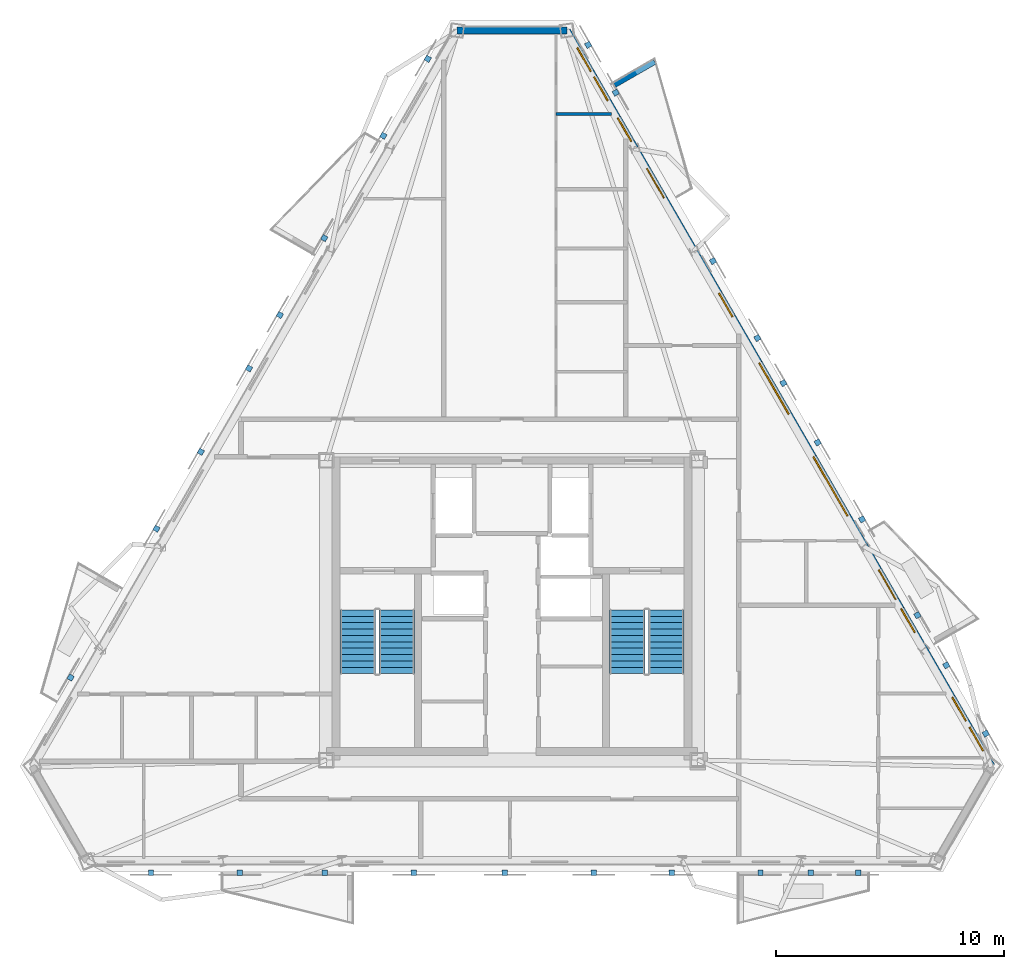
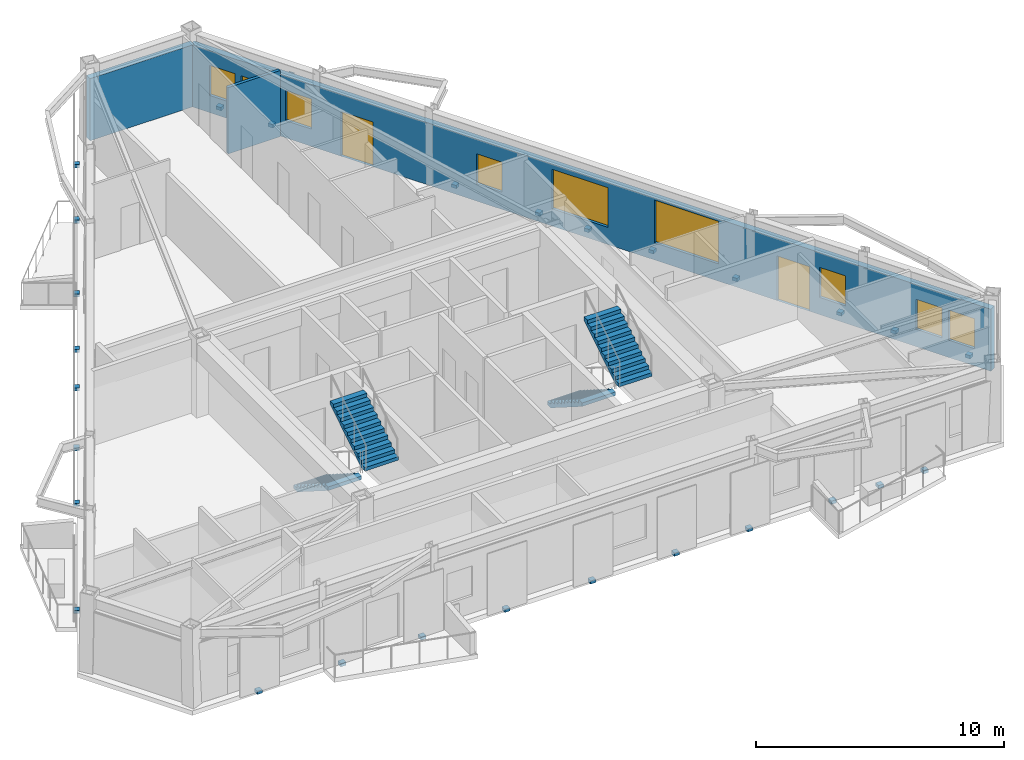
# One storey, part 6 of 9: 28 discrete accessories, 9 windows, 4 stair flights, 4 walls, 2 doors, 11 openings, 2 elements without a shape of their own.
"""IFC4 building model written with IfcOpenShell, lengths in metres."""

import ifcopenshell
import ifcopenshell.guid

model = None  # the IFC model being written
_history = None  # IfcOwnerHistory: only IFC2X3 demands one
_inside = {}  # id of a spatial element -> (the spatial element, [elements in it])
_under = {}  # id of a project, library or spatial element -> (it, [spatial elements below it])
_declared = {}  # id of a project -> (the project, [libraries it declares])
_typed = {}  # id of a type object -> (the type object, [elements of that type])
_made_of = {}  # id of a material, layer set ... -> (it, [elements and type objects made of it])


def new_model(schema):
    """Start an empty IFC model of exactly this schema.

    Asked for "IFC4X3", IfcOpenShell would pick the latest addendum, in which some entities
    have other attributes; the version numbers below select the first issue.
    IFC2X3 requires an IfcOwnerHistory on every rooted entity: one is made here for all.
    """
    global model, _history
    if schema == "IFC4X3":
        model = ifcopenshell.file(schema_version=(4, 3, 0, 0))
    else:
        model = ifcopenshell.file(schema=schema)
    _inside.clear()
    _under.clear()
    _declared.clear()
    _typed.clear()
    _made_of.clear()
    _history = None
    if model.schema == "IFC2X3":
        org = make("IfcOrganization", Name="unknown")
        user = make(
            "IfcPersonAndOrganization",
            ThePerson=make("IfcPerson", FamilyName="unknown"),
            TheOrganization=org,
        )
        app = make(
            "IfcApplication",
            ApplicationDeveloper=org,
            Version="unknown",
            ApplicationFullName="unknown",
            ApplicationIdentifier="unknown",
        )
        _history = make(
            "IfcOwnerHistory",
            OwningUser=user,
            OwningApplication=app,
            ChangeAction="ADDED",
            CreationDate=0,
        )
    return model


def make(cls, **values):
    """One entity of the class cls with the attributes given. An attribute that is None is left unset."""
    return model.create_entity(
        cls, **{name: value for name, value in values.items() if value is not None}
    )


def rooted(cls, **values):
    """An entity with a GlobalId (a new one), such as an element, a storey or a relation."""
    return make(cls, GlobalId=ifcopenshell.guid.new(), OwnerHistory=_history, **values)


def si_unit(unit_type, name, prefix=None):
    """IfcSIUnit, for example si_unit("LENGTHUNIT", "METRE", prefix="MILLI")."""
    return make("IfcSIUnit", UnitType=unit_type, Prefix=prefix, Name=name)


def assignment(units):
    """IfcUnitAssignment: the units of a project."""
    return None if units is None else make("IfcUnitAssignment", Units=units)


def point(xyz):
    """IfcCartesianPoint."""
    return None if xyz is None else make("IfcCartesianPoint", Coordinates=xyz)


def direction(xyz):
    """IfcDirection."""
    return None if xyz is None else make("IfcDirection", DirectionRatios=xyz)


def frame(location, z_axis=None, x_axis=None):
    """IfcAxis2Placement3D, a coordinate frame: its origin and axes. An axis left out is left unset."""
    return make(
        "IfcAxis2Placement3D",
        Location=point(location),
        Axis=direction(z_axis),
        RefDirection=direction(x_axis),
    )


def frame_2d(location, x_axis=None):
    """IfcAxis2Placement2D, a coordinate frame in the plane: its origin and x axis."""
    return make(
        "IfcAxis2Placement2D", Location=point(location), RefDirection=direction(x_axis)
    )


def origin():
    """The frame at (0, 0, 0) with its axes left unset."""
    return frame((0.0, 0.0, 0.0))


def origin_2d():
    """The frame at (0, 0) in the plane with its x axis left unset."""
    return frame_2d((0.0, 0.0))


def place(relative_to, where):
    """IfcLocalPlacement: puts the frame where relative to a parent placement (None: the world)."""
    return make(
        "IfcLocalPlacement", PlacementRelTo=relative_to, RelativePlacement=where
    )


def context(
    kind, dimensions, precision=None, world=None, true_north=None, identifier=None
):
    """IfcGeometricRepresentationContext, for example the 3D "Model" context."""
    return make(
        "IfcGeometricRepresentationContext",
        ContextIdentifier=identifier,
        ContextType=kind,
        CoordinateSpaceDimension=dimensions,
        Precision=precision,
        WorldCoordinateSystem=world,
        TrueNorth=true_north,
    )


def subcontext(parent, identifier, kind, view, scale=None):
    """IfcGeometricRepresentationSubContext, for example "Body" below "Model"."""
    return make(
        "IfcGeometricRepresentationSubContext",
        ContextIdentifier=identifier,
        ContextType=kind,
        ParentContext=parent,
        TargetScale=scale,
        TargetView=view,
    )


def project(units=None, contexts=None):
    """IfcProject with its units and contexts."""
    return rooted(
        "IfcProject",
        Name="project",
        RepresentationContexts=contexts,
        UnitsInContext=assignment(units),
    )


def spatial(cls, under=None, at=None, **own):
    """A site, building, storey or space (cls), placed at a placement, below another one or the project."""
    s = rooted(cls, ObjectPlacement=at, **own)
    if under is not None:
        _under.setdefault(under.id(), (under, []))[1].append(s)
    return s


def polyline(points):
    """IfcPolyline through the points."""
    return make("IfcPolyline", Points=[point(p) for p in points])


def profile(cls, at=None, kind="AREA", **sizes):
    """A parametric profile (cls). Its sizes go by their IFC names, for example OverallWidth=200.0."""
    return make(cls, ProfileType=kind, Position=at, **sizes)


def rectangle(**sizes):
    """IfcRectangleProfileDef."""
    return profile("IfcRectangleProfileDef", **sizes)


def outline(outer, holes=None, kind="AREA"):
    """IfcArbitraryClosedProfileDef: a profile drawn as a closed curve; with holes, ...WithVoids."""
    if holes is None:
        return make("IfcArbitraryClosedProfileDef", ProfileType=kind, OuterCurve=outer)
    return make(
        "IfcArbitraryProfileDefWithVoids",
        ProfileType=kind,
        OuterCurve=outer,
        InnerCurves=holes,
    )


def extrude(swept, where, along, depth):
    """IfcExtrudedAreaSolid: the profile swept, set in the frame where, extruded along a direction by depth."""
    return make(
        "IfcExtrudedAreaSolid",
        SweptArea=swept,
        Position=where,
        ExtrudedDirection=direction(along),
        Depth=depth,
    )


def shape(context_of_items, identifier, shape_type, items):
    """IfcShapeRepresentation: the items that make up one representation, for example the "Body"."""
    return make(
        "IfcShapeRepresentation",
        ContextOfItems=context_of_items,
        RepresentationIdentifier=identifier,
        RepresentationType=shape_type,
        Items=items,
    )


def material(Name=None, Category=None):
    """IfcMaterial."""
    return make("IfcMaterial", Name=Name, Category=Category)


def layer(
    of_material, thickness, ventilated=None, Name=None, Category=None, Priority=None
):
    """IfcMaterialLayer: one layer of a wall or slab, of a material (None: an air gap)."""
    return make(
        "IfcMaterialLayer",
        Material=of_material,
        LayerThickness=thickness,
        IsVentilated=ventilated,
        Name=Name,
        Category=Category,
        Priority=Priority,
    )


def layer_set(layers, Name=None):
    """IfcMaterialLayerSet."""
    return make("IfcMaterialLayerSet", MaterialLayers=layers, LayerSetName=Name)


def made_of(thing, what):
    """Note that an element or type object is made of a material, layer set ...; save() writes the relation."""
    if what is not None:
        _made_of.setdefault(what.id(), (what, []))[1].append(thing)
    return thing


def type_object(cls, material=None, **own):
    """A type object (cls), such as IfcWallType, which elements share."""
    return made_of(rooted(cls, **own), material)


def element(
    cls,
    number,
    at=None,
    inside=None,
    cuts=None,
    type_object=None,
    material=None,
    context=None,
    identifier="Body",
    shape_type=None,
    held_by="IfcProductDefinitionShape",
    body=None,
    shapes=None,
    **own,
):
    """One element of the class cls, such as IfcWall. Its Tag is "e" and its number.

    at: its placement. inside: the storey or other place that contains it. cuts: it is an
    opening in that element (IfcRelVoidsElement). A single representation is given by context,
    identifier, shape_type and body (its items); several are given by shapes. held_by: the class
    of the entity that holds the representations. save() writes the other relations.
    """
    e = rooted(cls, Tag="e%d" % number, ObjectPlacement=at, **own)
    if body is not None:
        shapes = [shape(context, identifier, shape_type, body)]
    if shapes is not None:
        e.Representation = make(held_by, Representations=shapes)
    if inside is not None:
        _inside.setdefault(inside.id(), (inside, []))[1].append(e)
    if cuts is not None:
        rooted(
            "IfcRelVoidsElement", RelatingBuildingElement=cuts, RelatedOpeningElement=e
        )
    if type_object is not None:
        _typed.setdefault(type_object.id(), (type_object, []))[1].append(e)
    return made_of(e, material)


def fill(opening, filler):
    """IfcRelFillsElement: the door or window that sits in an opening."""
    return rooted(
        "IfcRelFillsElement",
        RelatingOpeningElement=opening,
        RelatedBuildingElement=filler,
    )


def aggregate(whole, parts):
    """IfcRelAggregates: a whole, such as a stair, and the parts it consists of."""
    return rooted("IfcRelAggregates", RelatingObject=whole, RelatedObjects=parts)


def save(model, path):
    """Write the relations noted so far, then the file.

    IfcRelAggregates (storeys below a building ...), IfcRelContainedInSpatialStructure (elements
    in a storey), IfcRelDefinesByType, IfcRelAssociatesMaterial and IfcRelDeclares: one each for
    every whole, place, type object, material and project.
    """
    for whole, parts in _under.values():
        aggregate(whole, parts)
    for where, things in _inside.values():
        rooted(
            "IfcRelContainedInSpatialStructure",
            RelatedElements=things,
            RelatingStructure=where,
        )
    for kind, things in _typed.values():
        rooted("IfcRelDefinesByType", RelatedObjects=things, RelatingType=kind)
    for what, things in _made_of.values():
        rooted("IfcRelAssociatesMaterial", RelatedObjects=things, RelatingMaterial=what)
    for by, libraries in _declared.values():
        rooted("IfcRelDeclares", RelatingContext=by, RelatedDefinitions=libraries)
    model.write(path)


model = new_model("IFC4")

# Units and contexts
model_context = context("Model", 3, precision=1e-05, world=origin(), true_north=direction((0.0, 1.0)))
body_context = subcontext(model_context, "Body", "Model", "MODEL_VIEW")
ifc_project = project(units=[si_unit("LENGTHUNIT", "METRE"), si_unit("AREAUNIT", "SQUARE_METRE"), si_unit("VOLUMEUNIT", "CUBIC_METRE"), si_unit("PLANEANGLEUNIT", "RADIAN"), si_unit("MASSUNIT", "GRAM", prefix="KILO")], contexts=[model_context])

# Site, building, storey
site_placement = place(None, origin())
site = spatial("IfcSite", under=ifc_project, at=site_placement, CompositionType="ELEMENT")
building_placement = place(site_placement, origin())
building = spatial("IfcBuilding", under=site, at=building_placement, Name="Oramaril Tower", CompositionType="ELEMENT")
storey_placement = place(building_placement, frame((0.0, 0.0, 269.39990234375)))
storey = spatial("IfcBuildingStorey", under=building, at=storey_placement, Name="L71", CompositionType="ELEMENT", Elevation=269.39990234375)

# Wall, openings, doors, windows
ifc_material_1 = material(Name="Warm Cream Limestone", Category="masonry")
ifc_layer_1 = layer(ifc_material_1, 0.2900390625)
ifc_layer_set_1 = layer_set([ifc_layer_1], Name="WT-EXT29")
wall_type_1 = type_object("IfcWallType", Name="WT-EXT29", PredefinedType="SOLIDWALL", material=ifc_layer_set_1)
wall_1_placement = place(storey_placement, frame((58.57177734375, 10.733154296875, 0.0), z_axis=(0.0, 0.0, 1.0), x_axis=(-0.500001430823, 0.866024577697, 0.0)))
wall_1 = element("IfcWall", 1, at=wall_1_placement, inside=storey, type_object=wall_type_1, Name="L71 Tower Limestone Facade Wall 4M", PredefinedType="SOLIDWALL", context=body_context, shape_type="SweptSolid", body=[
    extrude(rectangle(XDim=37.2958984375, YDim=0.2900390625, at=frame_2d((18.64794921875, 0.0))), origin(), (0.0, 0.0, 1.0), 3.05810546875),
])
opening_1_placement = place(wall_1_placement, frame((8.454345703125, 0.0, 0.0)))
opening_1 = element("IfcOpeningElement", 2, at=opening_1_placement, cuts=wall_1, Name="Opening D-L71-BAL-NE1", PredefinedType="OPENING", context=body_context, shape_type="SweptSolid", body=[
    extrude(rectangle(XDim=1.5, YDim=2.199951171875, at=frame_2d((0.75, 1.10009765625))), frame((0.0, 0.14501953125, 0.0), z_axis=(0.0, -1.0, 0.0), x_axis=(1.0, 0.0, 0.0)), (0.0, 0.0, 1.0), 0.2900390625),
])
opening_2_placement = place(wall_1_placement, frame((28.79638671875, 0.0, 0.0)))
opening_2 = element("IfcOpeningElement", 3, at=opening_2_placement, cuts=wall_1, Name="Opening D-L71-BAL-NE2", PredefinedType="OPENING", context=body_context, shape_type="SweptSolid", body=[
    extrude(rectangle(XDim=1.5, YDim=2.199951171875, at=frame_2d((0.75, 1.10009765625))), frame((0.0, 0.14501953125, 0.0), z_axis=(0.0, -1.0, 0.0), x_axis=(1.0, 0.0, 0.0)), (0.0, 0.0, 1.0), 0.2900390625),
])
opening_3_placement = place(wall_1_placement, frame((0.769775390625, 0.0, 0.85009765625)))
opening_3 = element("IfcOpeningElement", 4, at=opening_3_placement, cuts=wall_1, Name="Opening WN-09", PredefinedType="OPENING", context=body_context, shape_type="SweptSolid", body=[
    extrude(rectangle(XDim=1.199951171875, YDim=1.47998046875, at=frame_2d((0.60009765625, 0.739990234375))), frame((0.0, 0.14501953125, 0.0), z_axis=(0.0, -1.0, 0.0), x_axis=(1.0, 0.0, 0.0)), (0.0, 0.0, 1.0), 0.2900390625),
])
opening_4_placement = place(wall_1_placement, frame((2.28515625, 0.0, 0.85009765625)))
opening_4 = element("IfcOpeningElement", 5, at=opening_4_placement, cuts=wall_1, Name="Opening WN-09", PredefinedType="OPENING", context=body_context, shape_type="SweptSolid", body=[
    extrude(rectangle(XDim=1.199951171875, YDim=1.47998046875, at=frame_2d((0.60009765625, 0.739990234375))), frame((0.0, 0.14501953125, 0.0), z_axis=(0.0, -1.0, 0.0), x_axis=(1.0, 0.0, 0.0)), (0.0, 0.0, 1.0), 0.2900390625),
])
opening_5_placement = place(wall_1_placement, frame((6.7724609375, 0.0, 0.85009765625)))
opening_5 = element("IfcOpeningElement", 6, at=opening_5_placement, cuts=wall_1, Name="Opening WN-09", PredefinedType="OPENING", context=body_context, shape_type="SweptSolid", body=[
    extrude(rectangle(XDim=1.199951171875, YDim=1.47998046875, at=frame_2d((0.60009765625, 0.739990234375))), frame((0.0, 0.14501953125, 0.0), z_axis=(0.0, -1.0, 0.0), x_axis=(1.0, 0.0, 0.0)), (0.0, 0.0, 1.0), 0.2900390625),
])
opening_6_placement = place(wall_1_placement, frame((12.681640625, 0.0, 0.85009765625)))
opening_6 = element("IfcOpeningElement", 7, at=opening_6_placement, cuts=wall_1, Name="Opening WN-10", PredefinedType="OPENING", context=body_context, shape_type="SweptSolid", body=[
    extrude(rectangle(XDim=3.0, YDim=2.097900390625, at=frame_2d((1.5, 1.048828125))), frame((0.0, 0.14501953125, 0.0), z_axis=(0.0, -1.0, 0.0), x_axis=(1.0, 0.0, 0.0)), (0.0, 0.0, 1.0), 0.2900390625),
])
opening_7_placement = place(wall_1_placement, frame((17.841552734375, 0.0, 0.85009765625)))
opening_7 = element("IfcOpeningElement", 8, at=opening_7_placement, cuts=wall_1, Name="Opening WN-02", PredefinedType="OPENING", context=body_context, shape_type="SweptSolid", body=[
    extrude(rectangle(XDim=2.60009765625, YDim=1.949951171875, at=frame_2d((1.300048828125, 0.97509765625))), frame((0.0, 0.14501953125, 0.0), z_axis=(0.0, -1.0, 0.0), x_axis=(1.0, 0.0, 0.0)), (0.0, 0.0, 1.0), 0.2900390625),
])
opening_8_placement = place(wall_1_placement, frame((35.216796875, 0.0, 0.85009765625)))
opening_8 = element("IfcOpeningElement", 9, at=opening_8_placement, cuts=wall_1, Name="Opening WN-09", PredefinedType="OPENING", context=body_context, shape_type="SweptSolid", body=[
    extrude(rectangle(XDim=1.199951171875, YDim=1.47998046875, at=frame_2d((0.60009765625, 0.739990234375))), frame((0.0, 0.14501953125, 0.0), z_axis=(0.0, -1.0, 0.0), x_axis=(1.0, 0.0, 0.0)), (0.0, 0.0, 1.0), 0.2900390625),
])
opening_9_placement = place(wall_1_placement, frame((33.73681640625, 0.0, 0.85009765625)))
opening_9 = element("IfcOpeningElement", 10, at=opening_9_placement, cuts=wall_1, Name="Opening WN-09", PredefinedType="OPENING", context=body_context, shape_type="SweptSolid", body=[
    extrude(rectangle(XDim=1.199951171875, YDim=1.47998046875, at=frame_2d((0.60009765625, 0.739990234375))), frame((0.0, 0.14501953125, 0.0), z_axis=(0.0, -1.0, 0.0), x_axis=(1.0, 0.0, 0.0)), (0.0, 0.0, 1.0), 0.2900390625),
])
opening_10_placement = place(wall_1_placement, frame((22.77490234375, 0.0, 0.85009765625)))
opening_10 = element("IfcOpeningElement", 11, at=opening_10_placement, cuts=wall_1, Name="Opening WN-09", PredefinedType="OPENING", context=body_context, shape_type="SweptSolid", body=[
    extrude(rectangle(XDim=1.199951171875, YDim=1.47998046875, at=frame_2d((0.60009765625, 0.739990234375))), frame((0.0, 0.14501953125, 0.0), z_axis=(0.0, -1.0, 0.0), x_axis=(1.0, 0.0, 0.0)), (0.0, 0.0, 1.0), 0.2900390625),
])
opening_11_placement = place(wall_1_placement, frame((31.6630859375, 0.0, 0.85009765625)))
opening_11 = element("IfcOpeningElement", 12, at=opening_11_placement, cuts=wall_1, Name="Opening WN-09", PredefinedType="OPENING", context=body_context, shape_type="SweptSolid", body=[
    extrude(rectangle(XDim=1.199951171875, YDim=1.47998046875, at=frame_2d((0.60009765625, 0.739990234375))), frame((0.0, 0.14501953125, 0.0), z_axis=(0.0, -1.0, 0.0), x_axis=(1.0, 0.0, 0.0)), (0.0, 0.0, 1.0), 0.2900390625),
])
ifc_material_2 = material(Name="Anodised Aluminium 6063-T6", Category="aluminium")
door_type = type_object("IfcDoorType", Name="DT-BAL", OperationType="NOTDEFINED", PredefinedType="DOOR", material=ifc_material_2)
door_1_placement = place(opening_1_placement, origin())
door_1 = element("IfcDoor", 13, at=door_1_placement, inside=storey, type_object=door_type, Name="L71 Balcony Glazed Door L71-BAL-NE1", OperationType="SINGLE_SWING_RIGHT", OverallHeight=2.199951171875, OverallWidth=1.5, PredefinedType="DOOR", context=body_context, shape_type="SweptSolid", body=[
    extrude(rectangle(XDim=1.5, YDim=2.199951171875, at=frame_2d((0.75, 1.10009765625))), frame((0.0, 0.02490234375, 0.0), z_axis=(0.0, -1.0, 0.0), x_axis=(1.0, 0.0, 0.0)), (0.0, 0.0, 1.0), 0.050048828125),
])
fill(opening_1, door_1)
door_2_placement = place(opening_2_placement, origin())
door_2 = element("IfcDoor", 14, at=door_2_placement, inside=storey, type_object=door_type, Name="L71 Balcony Glazed Door L71-BAL-NE2", OperationType="SINGLE_SWING_LEFT", OverallHeight=2.199951171875, OverallWidth=1.5, PredefinedType="DOOR", context=body_context, shape_type="SweptSolid", body=[
    extrude(rectangle(XDim=1.5, YDim=2.199951171875, at=frame_2d((0.75, 1.10009765625))), frame((0.0, 0.02490234375, 0.0), z_axis=(0.0, -1.0, 0.0), x_axis=(1.0, 0.0, 0.0)), (0.0, 0.0, 1.0), 0.050048828125),
])
fill(opening_2, door_2)
ifc_material_3 = material(Name="Coastal Low-E Insulated Glass", Category="glass")
window_type_1 = type_object("IfcWindowType", Name="WNT-02", PartitioningType="SINGLE_PANEL", PredefinedType="WINDOW", material=ifc_material_3)
window_1_placement = place(opening_7_placement, origin())
window_1 = element("IfcWindow", 15, at=window_1_placement, inside=storey, type_object=window_type_1, Name="L71 Chicago Bay Window WN-02", OverallHeight=1.949951171875, OverallWidth=2.60009765625, PartitioningType="SINGLE_PANEL", PredefinedType="WINDOW", context=body_context, shape_type="SweptSolid", body=[
    extrude(rectangle(XDim=2.60009765625, YDim=1.949951171875, at=frame_2d((1.300048828125, 0.97509765625))), frame((0.0, 0.030029296875, 0.0), z_axis=(0.0, -1.0, 0.0), x_axis=(1.0, 0.0, 0.0)), (0.0, 0.0, 1.0), 0.06005859375),
])
fill(opening_7, window_1)
ifc_material_4 = material(Name="Coastal Low-E Insulated Glass", Category="glass")
window_type_2 = type_object("IfcWindowType", Name="WNT-09", PartitioningType="SINGLE_PANEL", PredefinedType="WINDOW", material=ifc_material_4)
window_2_placement = place(opening_3_placement, origin())
window_2 = element("IfcWindow", 16, at=window_2_placement, inside=storey, type_object=window_type_2, Name="L71 Chicago Bay Window WN-09", OverallHeight=1.47998046875, OverallWidth=1.199951171875, PartitioningType="SINGLE_PANEL", PredefinedType="WINDOW", context=body_context, shape_type="SweptSolid", body=[
    extrude(rectangle(XDim=1.199951171875, YDim=1.47998046875, at=frame_2d((0.60009765625, 0.739990234375))), frame((0.0, 0.030029296875, 0.0), z_axis=(0.0, -1.0, 0.0), x_axis=(1.0, 0.0, 0.0)), (0.0, 0.0, 1.0), 0.06005859375),
])
fill(opening_3, window_2)
window_3_placement = place(opening_4_placement, origin())
window_3 = element("IfcWindow", 17, at=window_3_placement, inside=storey, type_object=window_type_2, Name="L71 Chicago Bay Window WN-09", OverallHeight=1.47998046875, OverallWidth=1.199951171875, PartitioningType="SINGLE_PANEL", PredefinedType="WINDOW", context=body_context, shape_type="SweptSolid", body=[
    extrude(rectangle(XDim=1.199951171875, YDim=1.47998046875, at=frame_2d((0.60009765625, 0.739990234375))), frame((0.0, 0.030029296875, 0.0), z_axis=(0.0, -1.0, 0.0), x_axis=(1.0, 0.0, 0.0)), (0.0, 0.0, 1.0), 0.06005859375),
])
fill(opening_4, window_3)
window_4_placement = place(opening_5_placement, origin())
window_4 = element("IfcWindow", 18, at=window_4_placement, inside=storey, type_object=window_type_2, Name="L71 Chicago Bay Window WN-09", OverallHeight=1.47998046875, OverallWidth=1.199951171875, PartitioningType="SINGLE_PANEL", PredefinedType="WINDOW", context=body_context, shape_type="SweptSolid", body=[
    extrude(rectangle(XDim=1.199951171875, YDim=1.47998046875, at=frame_2d((0.60009765625, 0.739990234375))), frame((0.0, 0.030029296875, 0.0), z_axis=(0.0, -1.0, 0.0), x_axis=(1.0, 0.0, 0.0)), (0.0, 0.0, 1.0), 0.06005859375),
])
fill(opening_5, window_4)
window_5_placement = place(opening_8_placement, origin())
window_5 = element("IfcWindow", 19, at=window_5_placement, inside=storey, type_object=window_type_2, Name="L71 Chicago Bay Window WN-09", OverallHeight=1.47998046875, OverallWidth=1.199951171875, PartitioningType="SINGLE_PANEL", PredefinedType="WINDOW", context=body_context, shape_type="SweptSolid", body=[
    extrude(rectangle(XDim=1.199951171875, YDim=1.47998046875, at=frame_2d((0.60009765625, 0.739990234375))), frame((0.0, 0.030029296875, 0.0), z_axis=(0.0, -1.0, 0.0), x_axis=(1.0, 0.0, 0.0)), (0.0, 0.0, 1.0), 0.06005859375),
])
fill(opening_8, window_5)
window_6_placement = place(opening_9_placement, origin())
window_6 = element("IfcWindow", 20, at=window_6_placement, inside=storey, type_object=window_type_2, Name="L71 Chicago Bay Window WN-09", OverallHeight=1.47998046875, OverallWidth=1.199951171875, PartitioningType="SINGLE_PANEL", PredefinedType="WINDOW", context=body_context, shape_type="SweptSolid", body=[
    extrude(rectangle(XDim=1.199951171875, YDim=1.47998046875, at=frame_2d((0.60009765625, 0.739990234375))), frame((0.0, 0.030029296875, 0.0), z_axis=(0.0, -1.0, 0.0), x_axis=(1.0, 0.0, 0.0)), (0.0, 0.0, 1.0), 0.06005859375),
])
fill(opening_9, window_6)
window_7_placement = place(opening_10_placement, origin())
window_7 = element("IfcWindow", 21, at=window_7_placement, inside=storey, type_object=window_type_2, Name="L71 Chicago Bay Window WN-09", OverallHeight=1.47998046875, OverallWidth=1.199951171875, PartitioningType="SINGLE_PANEL", PredefinedType="WINDOW", context=body_context, shape_type="SweptSolid", body=[
    extrude(rectangle(XDim=1.199951171875, YDim=1.47998046875, at=frame_2d((0.60009765625, 0.739990234375))), frame((0.0, 0.030029296875, 0.0), z_axis=(0.0, -1.0, 0.0), x_axis=(1.0, 0.0, 0.0)), (0.0, 0.0, 1.0), 0.06005859375),
])
fill(opening_10, window_7)
window_8_placement = place(opening_11_placement, origin())
window_8 = element("IfcWindow", 22, at=window_8_placement, inside=storey, type_object=window_type_2, Name="L71 Apartment Bedroom Window WN-09", OverallHeight=1.47998046875, OverallWidth=1.199951171875, PartitioningType="SINGLE_PANEL", PredefinedType="WINDOW", context=body_context, shape_type="SweptSolid", body=[
    extrude(rectangle(XDim=1.199951171875, YDim=1.47998046875, at=frame_2d((0.60009765625, 0.739990234375))), frame((0.0, 0.030029296875, 0.0), z_axis=(0.0, -1.0, 0.0), x_axis=(1.0, 0.0, 0.0)), (0.0, 0.0, 1.0), 0.06005859375),
])
fill(opening_11, window_8)
ifc_material_5 = material(Name="Coastal Low-E Insulated Glass", Category="glass")
window_type_3 = type_object("IfcWindowType", Name="WNT-10", PartitioningType="SINGLE_PANEL", PredefinedType="WINDOW", material=ifc_material_5)
window_9_placement = place(opening_6_placement, origin())
window_9 = element("IfcWindow", 23, at=window_9_placement, inside=storey, type_object=window_type_3, Name="L71 Chicago Bay Window WN-10", OverallHeight=2.097900390625, OverallWidth=3.0, PartitioningType="SINGLE_PANEL", PredefinedType="WINDOW", context=body_context, shape_type="SweptSolid", body=[
    extrude(rectangle(XDim=3.0, YDim=2.097900390625, at=frame_2d((1.5, 1.048828125))), frame((0.0, 0.030029296875, 0.0), z_axis=(0.0, -1.0, 0.0), x_axis=(1.0, 0.0, 0.0)), (0.0, 0.0, 1.0), 0.06005859375),
])
fill(opening_6, window_9)

# Walls
wall_2_placement = place(storey_placement, frame((39.923828125, 43.0322265625, 0.0), z_axis=(0.0, 0.0, 1.0), x_axis=(-1.0, 0.0, 0.0)))
element("IfcWall", 24, at=wall_2_placement, inside=storey, type_object=wall_type_1, Name="L71 Tower Limestone Facade Wall 5M", PredefinedType="SOLIDWALL", context=body_context, shape_type="SweptSolid", body=[
    extrude(rectangle(XDim=4.84765625, YDim=0.2900390625, at=frame_2d((2.423828125, 0.0))), origin(), (0.0, 0.0, 1.0), 3.05810546875),
])
ifc_material_6 = material(Name="Concrete C40/50", Category="concrete")
ifc_layer_2 = layer(ifc_material_6, 0.22998046875)
ifc_layer_set_2 = layer_set([ifc_layer_2], Name="WT-PRP23")
wall_type_2 = type_object("IfcWallType", Name="WT-PRP23", PredefinedType="PARAPET", material=ifc_layer_set_2)
wall_3_placement = place(storey_placement, frame((41.9990234375, 40.634033203125, 0.0), z_axis=(0.0, 0.0, 1.0), x_axis=(0.866012356593, 0.500022597718, 0.0)))
element("IfcWall", 25, at=wall_3_placement, inside=storey, type_object=wall_type_2, Name="L71 Trapezoidal Balcony Frame Cheek L71-BAL-NE2-R", PredefinedType="PARAPET", context=body_context, shape_type="SweptSolid", body=[
    extrude(outline(polyline([(0.0, 0.0), (2.0419921875, 0.0), (2.0419921875, 1.10009765625), (0.0, 1.320068359375), (0.0, 0.0)])), frame((0.0, 0.114990234375, 0.0), z_axis=(0.0, -1.0, 0.0), x_axis=(1.0, 0.0, 0.0)), (0.0, 0.0, 1.0), 0.22998046875),
])
ifc_material_7 = material(Name="Acoustic Gypsum Board Partition")
ifc_layer_3 = layer(ifc_material_7, 0.139892578125)
ifc_layer_set_3 = layer_set([ifc_layer_3], Name="WT-PT14")
wall_type_3 = type_object("IfcWallType", Name="WT-PT14", PredefinedType="PARTITIONING", material=ifc_layer_set_3)
wall_4_placement = place(storey_placement, frame((39.429931640625, 39.3701171875, 0.0), z_axis=(0.0, 0.0, 1.0), x_axis=(1.0, 0.0, 0.0)))
element("IfcWall", 26, at=wall_4_placement, inside=storey, type_object=wall_type_3, Name="L71 Interior Partition PT-14", PredefinedType="PARTITIONING", context=body_context, shape_type="SweptSolid", body=[
    extrude(rectangle(XDim=2.436279296875, YDim=0.139892578125, at=frame_2d((1.21826171875, 0.0))), origin(), (0.0, 0.0, 1.0), 3.26611328125),
])

# Stair, stair flights
ifc_material_8 = material(Name="Concrete C50/60", Category="concrete")
stair_type = type_object("IfcStairType", Name="STT-DG-3900", PredefinedType="HALF_TURN_STAIR", material=ifc_material_8)
stair_1_placement = place(storey_placement, origin())
stair_1 = element("IfcStair", 27, at=stair_1_placement, inside=storey, type_object=stair_type, Name="L71 Protected PFP Exit Stair ST-1", PredefinedType="HALF_TURN_STAIR")
ifc_material_9 = material(Name="Concrete C50/60", Category="concrete")
stair_flight_type = type_object("IfcStairFlightType", Name="SFT-DG-3900", PredefinedType="STRAIGHT", material=ifc_material_9)
stair_flight_1_placement = place(storey_placement, frame((30.72998046875, 17.590087890625, 0.0), z_axis=(0.0, 0.0, 1.0), x_axis=(0.0, -1.0, 0.0)))
stair_flight_1 = element("IfcStairFlight", 28, at=stair_flight_1_placement, type_object=stair_flight_type, Name="ST-1 flight 1", NumberOfRisers=11, NumberOfTreads=10, PredefinedType="STRAIGHT", RiserHeight=0.177272727, TreadLength=0.28, context=body_context, shape_type="SweptSolid", body=[
    extrude(outline(polyline([(0.0, 0.0), (0.0, 0.17724609375), (0.280029296875, 0.17724609375), (0.280029296875, 0.3544921875), (0.56005859375, 0.3544921875), (0.56005859375, 0.53173828125), (0.840087890625, 0.53173828125), (0.840087890625, 0.708984375), (1.1201171875, 0.708984375), (1.1201171875, 0.886474609375), (1.39990234375, 0.886474609375), (1.39990234375, 1.063720703125), (1.679931640625, 1.063720703125), (1.679931640625, 1.240966796875), (1.9599609375, 1.240966796875), (1.9599609375, 1.418212890625), (2.239990234375, 1.418212890625), (2.239990234375, 1.595458984375), (2.52001953125, 1.595458984375), (2.52001953125, 1.772705078125), (2.800048828125, 1.772705078125), (2.800048828125, 1.949951171875), (2.800048828125, 1.59521484375), (0.2802734375, 0.0), (0.0, 0.0)])), frame((0.0, 0.780029296875, 0.0), z_axis=(0.0, -1.0, 0.0), x_axis=(1.0, 0.0, 0.0)), (0.0, 0.0, 1.0), 1.56005859375),
])
stair_flight_2_placement = place(storey_placement, frame((32.43994140625, 14.7900390625, 1.9501953125), z_axis=(0.0, 0.0, 1.0), x_axis=(0.0, 1.0, 0.0)))
stair_flight_2 = element("IfcStairFlight", 29, at=stair_flight_2_placement, type_object=stair_flight_type, Name="ST-1 flight 2", NumberOfRisers=11, NumberOfTreads=10, PredefinedType="STRAIGHT", RiserHeight=0.177272727, TreadLength=0.28, context=body_context, shape_type="SweptSolid", body=[
    extrude(outline(polyline([(0.0, 0.0), (0.0, 0.17724609375), (0.280029296875, 0.17724609375), (0.280029296875, 0.3544921875), (0.56005859375, 0.3544921875), (0.56005859375, 0.53173828125), (0.840087890625, 0.53173828125), (0.840087890625, 0.708984375), (1.1201171875, 0.708984375), (1.1201171875, 0.886474609375), (1.39990234375, 0.886474609375), (1.39990234375, 1.063720703125), (1.679931640625, 1.063720703125), (1.679931640625, 1.240966796875), (1.9599609375, 1.240966796875), (1.9599609375, 1.418212890625), (2.239990234375, 1.418212890625), (2.239990234375, 1.595458984375), (2.52001953125, 1.595458984375), (2.52001953125, 1.772705078125), (2.800048828125, 1.772705078125), (2.800048828125, 1.949951171875), (2.800048828125, 1.59521484375), (0.2802734375, 0.0), (0.0, 0.0)])), frame((0.0, 0.780029296875, 0.0), z_axis=(0.0, -1.0, 0.0), x_axis=(1.0, 0.0, 0.0)), (0.0, 0.0, 1.0), 1.56005859375),
])
aggregate(stair_1, [stair_flight_1, stair_flight_2])

stair_2_placement = place(storey_placement, origin())
stair_2 = element("IfcStair", 30, at=stair_2_placement, inside=storey, type_object=stair_type, Name="L71 Protected PFP Exit Stair ST-2", PredefinedType="HALF_TURN_STAIR")
stair_flight_3_placement = place(storey_placement, frame((42.56005859375, 17.590087890625, 0.0), z_axis=(0.0, 0.0, 1.0), x_axis=(0.0, -1.0, 0.0)))
stair_flight_3 = element("IfcStairFlight", 31, at=stair_flight_3_placement, type_object=stair_flight_type, Name="ST-2 flight 1", NumberOfRisers=11, NumberOfTreads=10, PredefinedType="STRAIGHT", RiserHeight=0.177272727, TreadLength=0.28, context=body_context, shape_type="SweptSolid", body=[
    extrude(outline(polyline([(0.0, 0.0), (0.0, 0.17724609375), (0.280029296875, 0.17724609375), (0.280029296875, 0.3544921875), (0.56005859375, 0.3544921875), (0.56005859375, 0.53173828125), (0.840087890625, 0.53173828125), (0.840087890625, 0.708984375), (1.1201171875, 0.708984375), (1.1201171875, 0.886474609375), (1.39990234375, 0.886474609375), (1.39990234375, 1.063720703125), (1.679931640625, 1.063720703125), (1.679931640625, 1.240966796875), (1.9599609375, 1.240966796875), (1.9599609375, 1.418212890625), (2.239990234375, 1.418212890625), (2.239990234375, 1.595458984375), (2.52001953125, 1.595458984375), (2.52001953125, 1.772705078125), (2.800048828125, 1.772705078125), (2.800048828125, 1.949951171875), (2.800048828125, 1.59521484375), (0.2802734375, 0.0), (0.0, 0.0)])), frame((0.0, 0.780029296875, 0.0), z_axis=(0.0, -1.0, 0.0), x_axis=(1.0, 0.0, 0.0)), (0.0, 0.0, 1.0), 1.56005859375),
])
stair_flight_4_placement = place(storey_placement, frame((44.27001953125, 14.7900390625, 1.9501953125), z_axis=(0.0, 0.0, 1.0), x_axis=(0.0, 1.0, 0.0)))
stair_flight_4 = element("IfcStairFlight", 32, at=stair_flight_4_placement, type_object=stair_flight_type, Name="ST-2 flight 2", NumberOfRisers=11, NumberOfTreads=10, PredefinedType="STRAIGHT", RiserHeight=0.177272727, TreadLength=0.28, context=body_context, shape_type="SweptSolid", body=[
    extrude(outline(polyline([(0.0, 0.0), (0.0, 0.17724609375), (0.280029296875, 0.17724609375), (0.280029296875, 0.3544921875), (0.56005859375, 0.3544921875), (0.56005859375, 0.53173828125), (0.840087890625, 0.53173828125), (0.840087890625, 0.708984375), (1.1201171875, 0.708984375), (1.1201171875, 0.886474609375), (1.39990234375, 0.886474609375), (1.39990234375, 1.063720703125), (1.679931640625, 1.063720703125), (1.679931640625, 1.240966796875), (1.9599609375, 1.240966796875), (1.9599609375, 1.418212890625), (2.239990234375, 1.418212890625), (2.239990234375, 1.595458984375), (2.52001953125, 1.595458984375), (2.52001953125, 1.772705078125), (2.800048828125, 1.772705078125), (2.800048828125, 1.949951171875), (2.800048828125, 1.59521484375), (0.2802734375, 0.0), (0.0, 0.0)])), frame((0.0, 0.780029296875, 0.0), z_axis=(0.0, -1.0, 0.0), x_axis=(1.0, 0.0, 0.0)), (0.0, 0.0, 1.0), 1.56005859375),
])
aggregate(stair_2, [stair_flight_3, stair_flight_4])

# Discrete accessories
for number, where, z_axis, x_axis, name in (
    (33, (21.648681640625, 6.0546875, -0.1396484375), (0.0, 0.0, 1.0), (1.0, 0.0, 0.0), "L71 Solar Screen Slab Bracket"),
    (34, (25.548583984375, 6.0546875, -0.1396484375), (0.0, 0.0, 1.0), (1.0, 0.0, 0.0), "L71 Solar Screen Slab Bracket"),
    (35, (29.2841796875, 6.0546875, -0.1396484375), (0.0, 0.0, 1.0), (1.0, 0.0, 0.0), "L71 Solar Screen Slab Bracket"),
    (36, (33.184326171875, 6.0546875, -0.1396484375), (0.0, 0.0, 1.0), (1.0, 0.0, 0.0), "L71 Solar Screen Slab Bracket"),
    (37, (37.19091796875, 6.0546875, -0.1396484375), (0.0, 0.0, 1.0), (1.0, 0.0, 0.0), "L71 Solar Screen Slab Bracket"),
    (38, (41.0908203125, 6.0546875, -0.1396484375), (0.0, 0.0, 1.0), (1.0, 0.0, 0.0), "L71 Solar Screen Slab Bracket"),
    (39, (44.51123046875, 6.0546875, -0.1396484375), (0.0, 0.0, 1.0), (1.0, 0.0, 0.0), "L71 Solar Screen Slab Bracket"),
    (40, (48.4111328125, 6.0546875, -0.1396484375), (0.0, 0.0, 1.0), (1.0, 0.0, 0.0), "L71 Solar Screen Slab Bracket"),
    (41, (50.609375, 6.0546875, -0.1396484375), (0.0, 0.0, 1.0), (1.0, 0.0, 0.0), "L71 Solar Screen Slab Bracket"),
    (42, (52.694091796875, 6.0546875, -0.1396484375), (0.0, 0.0, 1.0), (1.0, 0.0, 0.0), "L71 Solar Screen Slab Bracket"),
    (43, (58.302490234375, 12.1591796875, -0.1396484375), (0.0, 0.0, 1.0), (-0.5, 0.866025403784, 0.0), "L71 Solar Screen Slab Bracket"),
    (44, (56.56982421875, 15.160400390625, -0.1396484375), (0.0, 0.0, 1.0), (-0.5, 0.866025403784, 0.0), "L71 Solar Screen Slab Bracket"),
    (45, (55.30126953125, 17.35791015625, -0.1396484375), (0.0, 0.0, 1.0), (-0.5, 0.866025403784, 0.0), "L71 Solar Screen Slab Bracket"),
    (46, (52.87158203125, 21.56591796875, -0.1396484375), (0.0, 0.0, 1.0), (-0.5, 0.866025403784, 0.0), "L71 Solar Screen Slab Bracket"),
    (47, (50.921630859375, 24.943603515625, -0.1396484375), (0.0, 0.0, 1.0), (-0.5, 0.866025403784, 0.0), "L71 Solar Screen Slab Bracket"),
    (48, (49.416748046875, 27.550048828125, -0.1396484375), (0.0, 0.0, 1.0), (-0.5, 0.866025403784, 0.0), "L71 Solar Screen Slab Bracket"),
    (49, (42.05419921875, 40.302490234375, -0.1396484375), (0.0, 0.0, 1.0), (-0.5, 0.866025403784, 0.0), "L71 Solar Screen Slab Bracket"),
    (50, (40.843994140625, 42.3984375, -0.1396484375), (0.0, 0.0, 1.0), (-0.5, 0.866025403784, 0.0), "L71 Solar Screen Slab Bracket"),
    (51, (48.27490234375, 29.527587890625, -0.1396484375), (0.0, 0.0, 1.0), (-0.5, 0.866025403784, 0.0), "L71 Solar Screen Slab Bracket"),
    (52, (46.324951171875, 32.9052734375, -0.1396484375), (0.0, 0.0, 1.0), (-0.5, 0.866025403784, 0.0), "L71 Solar Screen Slab Bracket"),
    (53, (23.83935546875, 24.529296875, -0.1396484375), (0.0, 0.0, 1.0), (-0.5, -0.866025403784, 0.0), "L71 Solar Screen Slab Bracket"),
    (54, (21.889404296875, 21.15185546875, -0.1396484375), (0.0, 0.0, 1.0), (-0.5, -0.866025403784, 0.0), "L71 Solar Screen Slab Bracket"),
    (55, (18.11865234375, 14.62109375, -0.1396484375), (0.0, 0.0, 1.0), (-0.5, -0.866025403784, 0.0), "L71 Solar Screen Slab Bracket"),
    (56, (29.258544921875, 33.915771484375, -0.1396484375), (0.0, 0.0, 1.0), (-0.5, -0.866025403784, 0.0), "L71 Solar Screen Slab Bracket"),
    (57, (27.30859375, 30.538330078125, -0.1396484375), (0.0, 0.0, 1.0), (-0.5, -0.866025403784, 0.0), "L71 Solar Screen Slab Bracket"),
    (58, (25.9541015625, 28.192626953125, -0.1396484375), (0.0, 0.0, 1.0), (-0.5, -0.866025403784, 0.0), "L71 Solar Screen Slab Bracket"),
    (59, (33.802734375, 41.786865234375, -0.1396484375), (0.0, 0.0, 1.0), (-0.5, -0.866025403784, 0.0), "L71 Solar Screen Slab Bracket"),
    (60, (31.852783203125, 38.4091796875, -0.1396484375), (0.0, 0.0, 1.0), (-0.5, -0.866025403784, 0.0), "L71 Solar Screen Slab Bracket"),
):
    element("IfcDiscreteAccessory", number, at=place(storey_placement, frame(where, z_axis=z_axis, x_axis=x_axis)), inside=storey, Name=name, PredefinedType="BRACKET", context=body_context, shape_type="SweptSolid", body=[
        extrude(rectangle(XDim=0.239990234375, YDim=0.239990234375, at=origin_2d()), origin(), (0.0, 0.0, 1.0), 0.159912109375),
    ])

save(model, "model.ifc")
